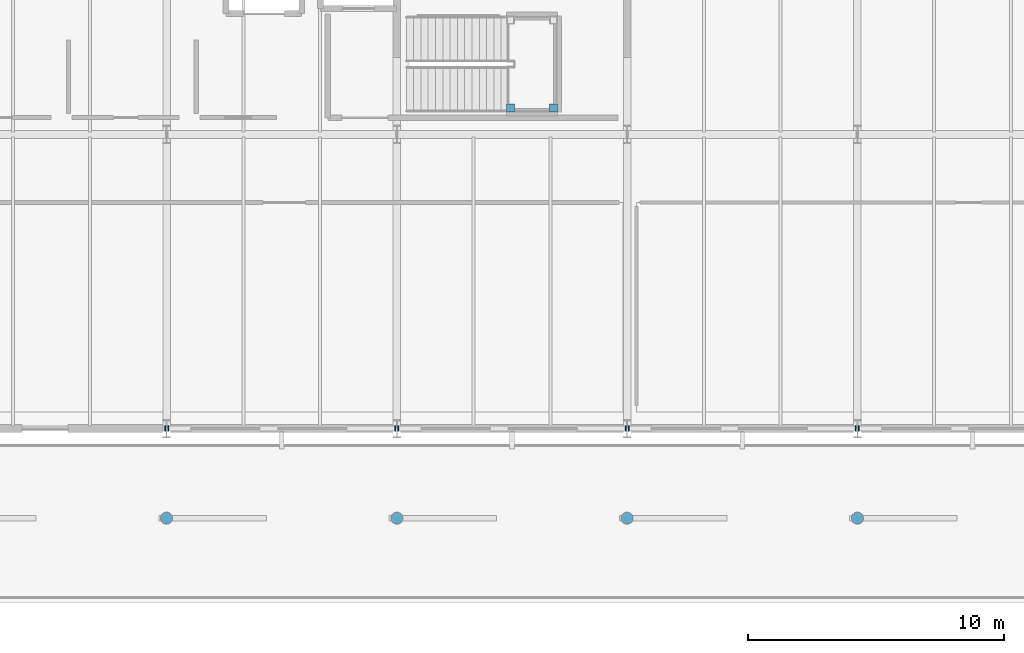
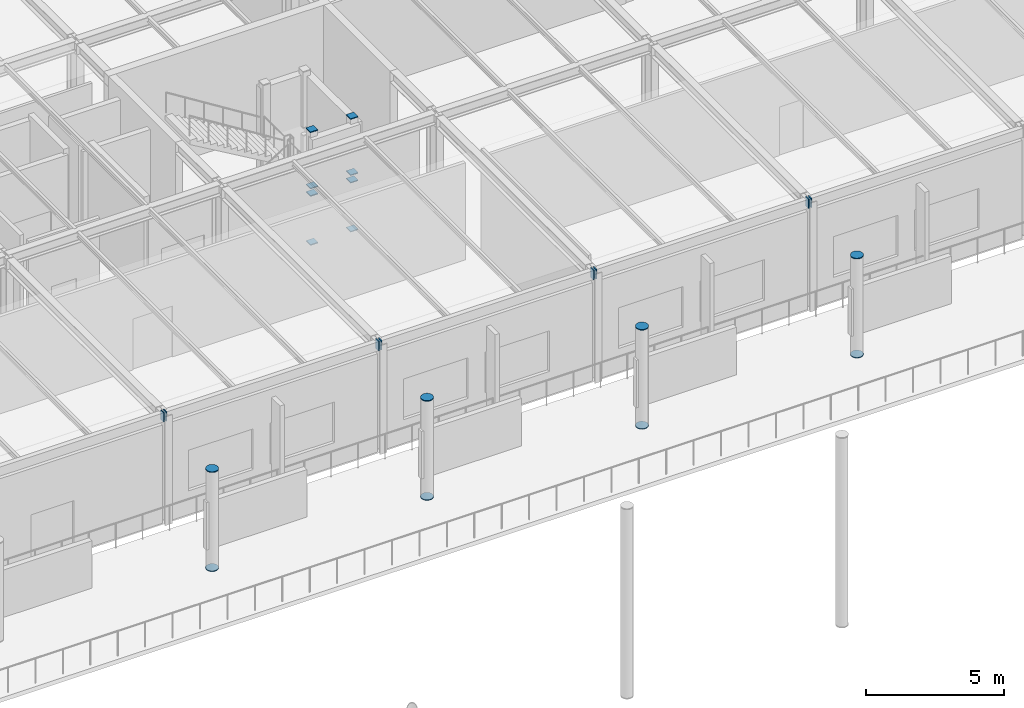
# One storey, part 99 of 143: 24 discrete accessories.
"""IFC4 building model written with IfcOpenShell, lengths in metres."""

from ifc_helpers import new_model, si_unit, direction, frame, origin, origin_2d, place, context, subcontext, project, spatial, rectangle, circle, extrude, material, element, save


model = new_model("IFC4")

# Units and contexts
model_context = context("Model", 3, precision=1e-05, world=origin(), true_north=direction((0.0, 1.0)))
body_context = subcontext(model_context, "Body", "Model", "MODEL_VIEW")
ifc_project = project(units=[si_unit("LENGTHUNIT", "METRE"), si_unit("AREAUNIT", "SQUARE_METRE"), si_unit("VOLUMEUNIT", "CUBIC_METRE"), si_unit("PLANEANGLEUNIT", "RADIAN"), si_unit("MASSUNIT", "GRAM", prefix="KILO")], contexts=[model_context])

# Site, building, storey
site_placement = place(None, origin())
site = spatial("IfcSite", under=ifc_project, at=site_placement, CompositionType="ELEMENT")
building_placement = place(site_placement, origin())
building = spatial("IfcBuilding", under=site, at=building_placement, Name="Marlcrest Central Station", CompositionType="ELEMENT")
storey_placement = place(building_placement, frame((0.0, 0.0, 4.800048828125)))
storey = spatial("IfcBuildingStorey", under=building, at=storey_placement, Name="L01", CompositionType="ELEMENT", Elevation=4.800048828125)

# Discrete accessories
ifc_material = material(Name="Steel S355", Category="steel")
for number, where, z_axis, x_axis, name in (
    (1, (35.925048828125, 99.0, 4.619873046875), (1.0, 0.0, 0.0), (0.0, 1.0, 0.0), "endcap-bm-SP-01-L01-00231-e"),
    (2, (36.03515625, 99.0, 4.619873046875), (1.0, 0.0, 0.0), (0.0, 1.0, 0.0), "endcap-bm-SP-01-L01-00232-s"),
    (3, (44.925048828125, 99.0, 4.619873046875), (1.0, 0.0, 0.0), (0.0, 1.0, 0.0), "endcap-bm-SP-01-L01-00232-e"),
    (4, (45.03515625, 99.0, 4.619873046875), (1.0, 0.0, 0.0), (0.0, 1.0, 0.0), "endcap-bm-SP-01-L01-00233-s"),
    (5, (53.925048828125, 99.0, 4.619873046875), (1.0, 0.0, 0.0), (0.0, 1.0, 0.0), "endcap-bm-SP-01-L01-00233-e"),
    (6, (54.03515625, 99.0, 4.619873046875), (1.0, 0.0, 0.0), (0.0, 1.0, 0.0), "endcap-bm-SP-01-L01-00234-s"),
    (7, (62.925048828125, 99.0, 4.619873046875), (1.0, 0.0, 0.0), (0.0, 1.0, 0.0), "endcap-bm-SP-01-L01-00234-e"),
    (8, (63.03515625, 99.0, 4.619873046875), (1.0, 0.0, 0.0), (0.0, 1.0, 0.0), "endcap-bm-SP-01-L01-00235-s"),
):
    element("IfcDiscreteAccessory", number, at=place(storey_placement, frame(where, z_axis=z_axis, x_axis=x_axis)), inside=storey, material=ifc_material, Name=name, ObjectType="END_CAP_PLATE", PredefinedType="BRACKET", context=body_context, shape_type="SweptSolid", body=[
        extrude(rectangle(XDim=0.216064453125, YDim=0.416015625, at=origin_2d()), origin(), (0.0, 0.0, 1.0), 0.0400390625),
    ])
for number, where, z_axis, x_axis, name in (
    (9, (36.0, 95.5, -0.014892578125), (0.0, 0.0, 1.0), (1.0, 0.0, 0.0), "endcap-col-SC-11-L01-0461-s"),
    (10, (36.0, 95.5, 4.375), (0.0, 0.0, 1.0), (1.0, 0.0, 0.0), "endcap-col-SC-11-L01-0461-e"),
    (11, (45.0, 95.5, -0.014892578125), (0.0, 0.0, 1.0), (1.0, 0.0, 0.0), "endcap-col-SC-11-L01-0471-s"),
    (12, (45.0, 95.5, 4.375), (0.0, 0.0, 1.0), (1.0, 0.0, 0.0), "endcap-col-SC-11-L01-0471-e"),
    (13, (54.0, 95.5, -0.014892578125), (0.0, 0.0, 1.0), (1.0, 0.0, 0.0), "endcap-col-SC-11-L01-0481-s"),
    (14, (54.0, 95.5, 4.375), (0.0, 0.0, 1.0), (1.0, 0.0, 0.0), "endcap-col-SC-11-L01-0481-e"),
    (15, (63.0, 95.5, -0.014892578125), (0.0, 0.0, 1.0), (1.0, 0.0, 0.0), "endcap-col-SC-11-L01-0491-s"),
    (16, (63.0, 95.5, 4.375), (0.0, 0.0, 1.0), (1.0, 0.0, 0.0), "endcap-col-SC-11-L01-0491-e"),
):
    element("IfcDiscreteAccessory", number, at=place(storey_placement, frame(where, z_axis=z_axis, x_axis=x_axis)), inside=storey, material=ifc_material, Name=name, ObjectType="END_CAP_PLATE", PredefinedType="BRACKET", context=body_context, shape_type="SweptSolid", body=[
        extrude(circle(Radius=0.236572265625, at=origin_2d()), origin(), (0.0, 0.0, 1.0), 0.0400390625),
    ])
for number, where, z_axis, x_axis, name in (
    (17, (49.43994140625, 111.530029296875, -0.014892578125), (0.0, 0.0, 1.0), (1.0, 0.0, 0.0), "endcap-htcol-lo-0047-0-s"),
    (18, (49.43994140625, 111.530029296875, 2.155029296875), (0.0, 0.0, 1.0), (1.0, 0.0, 0.0), "endcap-htcol-lo-0047-0-e"),
    (19, (49.43994140625, 111.530029296875, 2.485107421875), (0.0, 0.0, 1.0), (1.0, 0.0, 0.0), "endcap-htcol-hi-0047-0-s"),
    (20, (49.43994140625, 111.530029296875, 4.97509765625), (0.0, 0.0, 1.0), (1.0, 0.0, 0.0), "endcap-htcol-hi-0047-0-e"),
    (21, (51.1201171875, 111.530029296875, -0.014892578125), (0.0, 0.0, 1.0), (1.0, 0.0, 0.0), "endcap-htcol-lo-0047-1-s"),
    (22, (51.1201171875, 111.530029296875, 2.155029296875), (0.0, 0.0, 1.0), (1.0, 0.0, 0.0), "endcap-htcol-lo-0047-1-e"),
    (23, (51.1201171875, 111.530029296875, 2.485107421875), (0.0, 0.0, 1.0), (1.0, 0.0, 0.0), "endcap-htcol-hi-0047-1-s"),
    (24, (51.1201171875, 111.530029296875, 4.97509765625), (0.0, 0.0, 1.0), (1.0, 0.0, 0.0), "endcap-htcol-hi-0047-1-e"),
):
    element("IfcDiscreteAccessory", number, at=place(storey_placement, frame(where, z_axis=z_axis, x_axis=x_axis)), inside=storey, material=ifc_material, Name=name, ObjectType="END_CAP_PLATE", PredefinedType="BRACKET", context=body_context, shape_type="SweptSolid", body=[
        extrude(rectangle(XDim=0.31591796875, YDim=0.31591796875, at=origin_2d()), origin(), (0.0, 0.0, 1.0), 0.0400390625),
    ])

save(model, "model.ifc")
